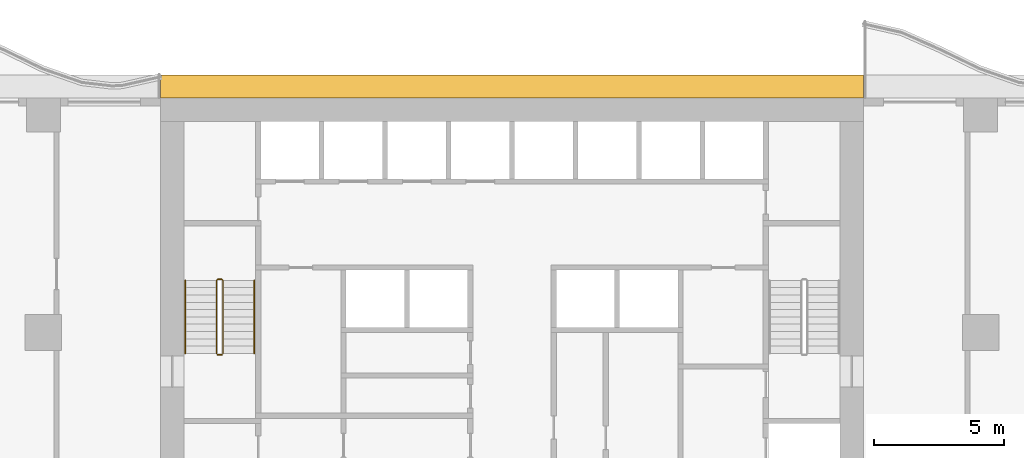
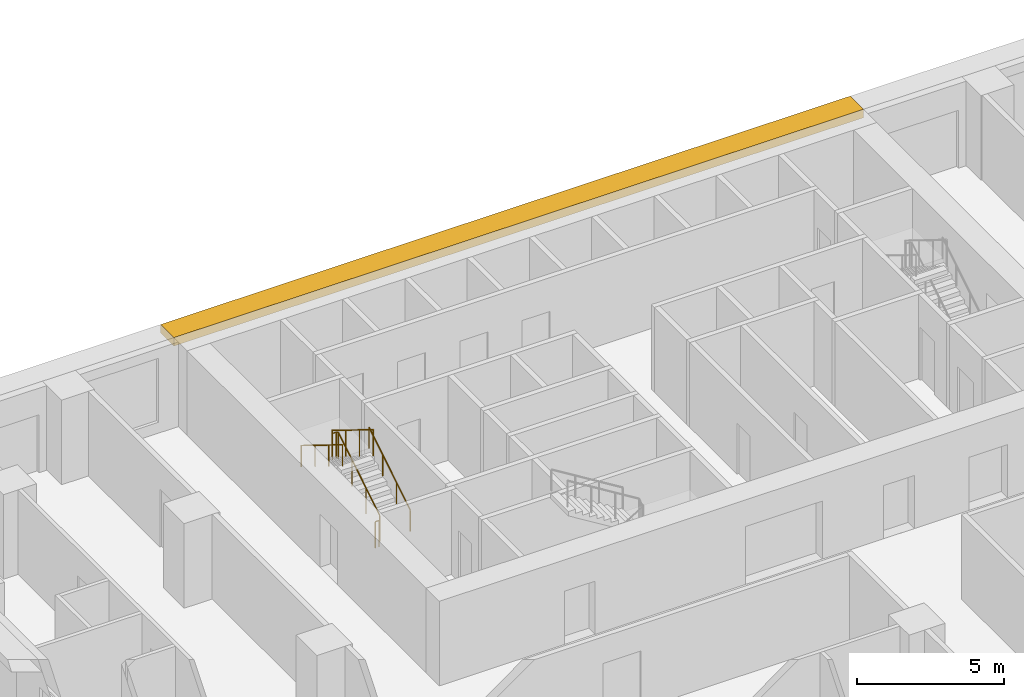
# One storey, part 11 of 13: 4 railings, 1 shading device.
"""IFC4 building model written with IfcOpenShell, lengths in metres."""

import ifcopenshell
import ifcopenshell.guid

model = None  # the IFC model being written
_history = None  # IfcOwnerHistory: only IFC2X3 demands one
_inside = {}  # id of a spatial element -> (the spatial element, [elements in it])
_under = {}  # id of a project, library or spatial element -> (it, [spatial elements below it])
_declared = {}  # id of a project -> (the project, [libraries it declares])
_typed = {}  # id of a type object -> (the type object, [elements of that type])
_made_of = {}  # id of a material, layer set ... -> (it, [elements and type objects made of it])


def new_model(schema):
    """Start an empty IFC model of exactly this schema.

    Asked for "IFC4X3", IfcOpenShell would pick the latest addendum, in which some entities
    have other attributes; the version numbers below select the first issue.
    IFC2X3 requires an IfcOwnerHistory on every rooted entity: one is made here for all.
    """
    global model, _history
    if schema == "IFC4X3":
        model = ifcopenshell.file(schema_version=(4, 3, 0, 0))
    else:
        model = ifcopenshell.file(schema=schema)
    _inside.clear()
    _under.clear()
    _declared.clear()
    _typed.clear()
    _made_of.clear()
    _history = None
    if model.schema == "IFC2X3":
        org = make("IfcOrganization", Name="unknown")
        user = make(
            "IfcPersonAndOrganization",
            ThePerson=make("IfcPerson", FamilyName="unknown"),
            TheOrganization=org,
        )
        app = make(
            "IfcApplication",
            ApplicationDeveloper=org,
            Version="unknown",
            ApplicationFullName="unknown",
            ApplicationIdentifier="unknown",
        )
        _history = make(
            "IfcOwnerHistory",
            OwningUser=user,
            OwningApplication=app,
            ChangeAction="ADDED",
            CreationDate=0,
        )
    return model


def make(cls, **values):
    """One entity of the class cls with the attributes given. An attribute that is None is left unset."""
    return model.create_entity(
        cls, **{name: value for name, value in values.items() if value is not None}
    )


def rooted(cls, **values):
    """An entity with a GlobalId (a new one), such as an element, a storey or a relation."""
    return make(cls, GlobalId=ifcopenshell.guid.new(), OwnerHistory=_history, **values)


def si_unit(unit_type, name, prefix=None):
    """IfcSIUnit, for example si_unit("LENGTHUNIT", "METRE", prefix="MILLI")."""
    return make("IfcSIUnit", UnitType=unit_type, Prefix=prefix, Name=name)


def assignment(units):
    """IfcUnitAssignment: the units of a project."""
    return None if units is None else make("IfcUnitAssignment", Units=units)


def point(xyz):
    """IfcCartesianPoint."""
    return None if xyz is None else make("IfcCartesianPoint", Coordinates=xyz)


def direction(xyz):
    """IfcDirection."""
    return None if xyz is None else make("IfcDirection", DirectionRatios=xyz)


def frame(location, z_axis=None, x_axis=None):
    """IfcAxis2Placement3D, a coordinate frame: its origin and axes. An axis left out is left unset."""
    return make(
        "IfcAxis2Placement3D",
        Location=point(location),
        Axis=direction(z_axis),
        RefDirection=direction(x_axis),
    )


def frame_2d(location, x_axis=None):
    """IfcAxis2Placement2D, a coordinate frame in the plane: its origin and x axis."""
    return make(
        "IfcAxis2Placement2D", Location=point(location), RefDirection=direction(x_axis)
    )


def origin():
    """The frame at (0, 0, 0) with its axes left unset."""
    return frame((0.0, 0.0, 0.0))


def origin_2d():
    """The frame at (0, 0) in the plane with its x axis left unset."""
    return frame_2d((0.0, 0.0))


def place(relative_to, where):
    """IfcLocalPlacement: puts the frame where relative to a parent placement (None: the world)."""
    return make(
        "IfcLocalPlacement", PlacementRelTo=relative_to, RelativePlacement=where
    )


def context(
    kind, dimensions, precision=None, world=None, true_north=None, identifier=None
):
    """IfcGeometricRepresentationContext, for example the 3D "Model" context."""
    return make(
        "IfcGeometricRepresentationContext",
        ContextIdentifier=identifier,
        ContextType=kind,
        CoordinateSpaceDimension=dimensions,
        Precision=precision,
        WorldCoordinateSystem=world,
        TrueNorth=true_north,
    )


def subcontext(parent, identifier, kind, view, scale=None):
    """IfcGeometricRepresentationSubContext, for example "Body" below "Model"."""
    return make(
        "IfcGeometricRepresentationSubContext",
        ContextIdentifier=identifier,
        ContextType=kind,
        ParentContext=parent,
        TargetScale=scale,
        TargetView=view,
    )


def project(units=None, contexts=None):
    """IfcProject with its units and contexts."""
    return rooted(
        "IfcProject",
        Name="project",
        RepresentationContexts=contexts,
        UnitsInContext=assignment(units),
    )


def spatial(cls, under=None, at=None, **own):
    """A site, building, storey or space (cls), placed at a placement, below another one or the project."""
    s = rooted(cls, ObjectPlacement=at, **own)
    if under is not None:
        _under.setdefault(under.id(), (under, []))[1].append(s)
    return s


def polyline(points):
    """IfcPolyline through the points."""
    return make("IfcPolyline", Points=[point(p) for p in points])


def profile(cls, at=None, kind="AREA", **sizes):
    """A parametric profile (cls). Its sizes go by their IFC names, for example OverallWidth=200.0."""
    return make(cls, ProfileType=kind, Position=at, **sizes)


def circle(**sizes):
    """IfcCircleProfileDef."""
    return profile("IfcCircleProfileDef", **sizes)


def outline(outer, holes=None, kind="AREA"):
    """IfcArbitraryClosedProfileDef: a profile drawn as a closed curve; with holes, ...WithVoids."""
    if holes is None:
        return make("IfcArbitraryClosedProfileDef", ProfileType=kind, OuterCurve=outer)
    return make(
        "IfcArbitraryProfileDefWithVoids",
        ProfileType=kind,
        OuterCurve=outer,
        InnerCurves=holes,
    )


def extrude(swept, where, along, depth):
    """IfcExtrudedAreaSolid: the profile swept, set in the frame where, extruded along a direction by depth."""
    return make(
        "IfcExtrudedAreaSolid",
        SweptArea=swept,
        Position=where,
        ExtrudedDirection=direction(along),
        Depth=depth,
    )


def shape(context_of_items, identifier, shape_type, items):
    """IfcShapeRepresentation: the items that make up one representation, for example the "Body"."""
    return make(
        "IfcShapeRepresentation",
        ContextOfItems=context_of_items,
        RepresentationIdentifier=identifier,
        RepresentationType=shape_type,
        Items=items,
    )


def material(Name=None, Category=None):
    """IfcMaterial."""
    return make("IfcMaterial", Name=Name, Category=Category)


def layer(
    of_material, thickness, ventilated=None, Name=None, Category=None, Priority=None
):
    """IfcMaterialLayer: one layer of a wall or slab, of a material (None: an air gap)."""
    return make(
        "IfcMaterialLayer",
        Material=of_material,
        LayerThickness=thickness,
        IsVentilated=ventilated,
        Name=Name,
        Category=Category,
        Priority=Priority,
    )


def layer_set(layers, Name=None):
    """IfcMaterialLayerSet."""
    return make("IfcMaterialLayerSet", MaterialLayers=layers, LayerSetName=Name)


def made_of(thing, what):
    """Note that an element or type object is made of a material, layer set ...; save() writes the relation."""
    if what is not None:
        _made_of.setdefault(what.id(), (what, []))[1].append(thing)
    return thing


def type_object(cls, material=None, **own):
    """A type object (cls), such as IfcWallType, which elements share."""
    return made_of(rooted(cls, **own), material)


def element(
    cls,
    number,
    at=None,
    inside=None,
    cuts=None,
    type_object=None,
    material=None,
    context=None,
    identifier="Body",
    shape_type=None,
    held_by="IfcProductDefinitionShape",
    body=None,
    shapes=None,
    **own,
):
    """One element of the class cls, such as IfcWall. Its Tag is "e" and its number.

    at: its placement. inside: the storey or other place that contains it. cuts: it is an
    opening in that element (IfcRelVoidsElement). A single representation is given by context,
    identifier, shape_type and body (its items); several are given by shapes. held_by: the class
    of the entity that holds the representations. save() writes the other relations.
    """
    e = rooted(cls, Tag="e%d" % number, ObjectPlacement=at, **own)
    if body is not None:
        shapes = [shape(context, identifier, shape_type, body)]
    if shapes is not None:
        e.Representation = make(held_by, Representations=shapes)
    if inside is not None:
        _inside.setdefault(inside.id(), (inside, []))[1].append(e)
    if cuts is not None:
        rooted(
            "IfcRelVoidsElement", RelatingBuildingElement=cuts, RelatedOpeningElement=e
        )
    if type_object is not None:
        _typed.setdefault(type_object.id(), (type_object, []))[1].append(e)
    return made_of(e, material)


def aggregate(whole, parts):
    """IfcRelAggregates: a whole, such as a stair, and the parts it consists of."""
    return rooted("IfcRelAggregates", RelatingObject=whole, RelatedObjects=parts)


def save(model, path):
    """Write the relations noted so far, then the file.

    IfcRelAggregates (storeys below a building ...), IfcRelContainedInSpatialStructure (elements
    in a storey), IfcRelDefinesByType, IfcRelAssociatesMaterial and IfcRelDeclares: one each for
    every whole, place, type object, material and project.
    """
    for whole, parts in _under.values():
        aggregate(whole, parts)
    for where, things in _inside.values():
        rooted(
            "IfcRelContainedInSpatialStructure",
            RelatedElements=things,
            RelatingStructure=where,
        )
    for kind, things in _typed.values():
        rooted("IfcRelDefinesByType", RelatedObjects=things, RelatingType=kind)
    for what, things in _made_of.values():
        rooted("IfcRelAssociatesMaterial", RelatedObjects=things, RelatingMaterial=what)
    for by, libraries in _declared.values():
        rooted("IfcRelDeclares", RelatingContext=by, RelatedDefinitions=libraries)
    model.write(path)


model = new_model("IFC4")

# Units and contexts
model_context = context("Model", 3, precision=1e-05, world=origin(), true_north=direction((0.0, 1.0)))
body_context = subcontext(model_context, "Body", "Model", "MODEL_VIEW")
ifc_project = project(units=[si_unit("LENGTHUNIT", "METRE"), si_unit("AREAUNIT", "SQUARE_METRE"), si_unit("VOLUMEUNIT", "CUBIC_METRE"), si_unit("PLANEANGLEUNIT", "RADIAN"), si_unit("MASSUNIT", "GRAM", prefix="KILO")], contexts=[model_context])

# Site, building, storey
site_placement = place(None, origin())
site = spatial("IfcSite", under=ifc_project, at=site_placement, CompositionType="ELEMENT")
building_placement = place(site_placement, origin())
building = spatial("IfcBuilding", under=site, at=building_placement, Name="Orbiselva Terraces", CompositionType="ELEMENT")
storey_placement = place(building_placement, frame((0.0, 0.0, 96.0)))
storey = spatial("IfcBuildingStorey", under=building, at=storey_placement, Name="L24", CompositionType="ELEMENT", Elevation=96.0)

# Railings
ifc_material_1 = material(Name="Stainless steel", Category="steel")
railing_type_1 = type_object("IfcRailingType", Name="CORE-GUARD-1100", PredefinedType="GUARDRAIL", material=ifc_material_1)
railing_1_placement = place(storey_placement, frame((-11.1, 12.7, 0.172727)))
element("IfcRailing", 1, at=railing_1_placement, inside=storey, type_object=railing_type_1, Name="L24 S1 stair guard 1", PredefinedType="GUARDRAIL", context=body_context, shape_type="SweptSolid", body=[
    extrude(circle(Radius=0.024, at=origin_2d()), frame((0.0, 0.0, 1.081), z_axis=(0.0, 0.851088519012, 0.52502222125), x_axis=(-1.0, 0.0, 0.0)), (0.0, 0.0, 1.0), 3.289905),
    extrude(circle(Radius=0.024, at=origin_2d()), frame((0.0, 2.8, 2.808273), z_axis=(-0.707106781187, 0.707106781187, 0.0), x_axis=(-0.707106781187, -0.707106781187, 0.0)), (0.0, 0.0, 1.0), 0.070711),
    extrude(circle(Radius=0.024, at=origin_2d()), frame((-0.05, 2.85, 2.808273), z_axis=(-1.0, 0.0, 0.0), x_axis=(0.0, -1.0, 0.0)), (0.0, 0.0, 1.0), 0.15),
    extrude(circle(Radius=0.024, at=origin_2d()), frame((-0.2, 2.85, 2.808273), z_axis=(-0.267894925557, -0.267894925557, 0.925453736133), x_axis=(0.707106781187, -0.707106781187, 0.0)), (0.0, 0.0, 1.0), 0.18664),
    extrude(circle(Radius=0.024, at=origin_2d()), frame((-0.25, 2.8, 2.981), z_axis=(0.0, -0.851088519012, 0.52502222125), x_axis=(1.0, 0.0, 0.0)), (0.0, 0.0, 1.0), 3.289905),
    extrude(circle(Radius=0.021, at=origin_2d()), origin(), (0.0, 0.0, 1.0), 1.057),
    extrude(circle(Radius=0.021, at=origin_2d()), frame((0.0, 0.933333, 0.575758)), (0.0, 0.0, 1.0), 1.057),
    extrude(circle(Radius=0.021, at=origin_2d()), frame((0.0, 1.866667, 1.151515)), (0.0, 0.0, 1.0), 1.057),
    extrude(circle(Radius=0.021, at=origin_2d()), frame((0.0, 2.8, 1.727273)), (0.0, 0.0, 1.0), 1.057),
    extrude(circle(Radius=0.021, at=origin_2d()), frame((-0.05, 2.85, 1.727273)), (0.0, 0.0, 1.0), 1.057),
    extrude(circle(Radius=0.021, at=origin_2d()), frame((-0.2, 2.85, 1.727273)), (0.0, 0.0, 1.0), 1.057),
    extrude(circle(Radius=0.021, at=origin_2d()), frame((-0.25, 2.8, 1.9)), (0.0, 0.0, 1.0), 1.057),
    extrude(circle(Radius=0.021, at=origin_2d()), frame((-0.25, 1.866667, 2.475758)), (0.0, 0.0, 1.0), 1.057),
    extrude(circle(Radius=0.021, at=origin_2d()), frame((-0.25, 0.933333, 3.051515)), (0.0, 0.0, 1.0), 1.057),
    extrude(circle(Radius=0.021, at=origin_2d()), frame((-0.25, 0.0, 3.627273)), (0.0, 0.0, 1.0), 1.057),
])
railing_2_placement = place(storey_placement, frame((-11.15, 12.65, 0.0)))
element("IfcRailing", 2, at=railing_2_placement, inside=storey, type_object=railing_type_1, Name="L24 S1 stair guard 2", PredefinedType="GUARDRAIL", context=body_context, shape_type="SweptSolid", body=[
    extrude(circle(Radius=0.024, at=origin_2d()), frame((0.0, 0.0, 1.081), z_axis=(-1.0, 0.0, 0.0), x_axis=(0.0, -1.0, 0.0)), (0.0, 0.0, 1.0), 0.15),
    extrude(circle(Radius=0.021, at=origin_2d()), origin(), (0.0, 0.0, 1.0), 1.057),
    extrude(circle(Radius=0.021, at=origin_2d()), frame((-0.15, 0.0, 0.0)), (0.0, 0.0, 1.0), 1.057),
])
railing_type_2 = type_object("IfcRailingType", Name="CORE-HANDRAIL-900", PredefinedType="HANDRAIL", material=ifc_material_1)
railing_3_placement = place(storey_placement, frame((-9.9, 12.7, 0.172727)))
element("IfcRailing", 3, at=railing_3_placement, inside=storey, type_object=railing_type_2, Name="L24 S1 stair handrail 1", PredefinedType="HANDRAIL", context=body_context, shape_type="SweptSolid", body=[
    extrude(circle(Radius=0.024, at=origin_2d()), frame((0.0, 0.0, 0.876), z_axis=(0.0, 0.851088519012, 0.52502222125), x_axis=(-1.0, 0.0, 0.0)), (0.0, 0.0, 1.0), 3.289905),
    extrude(circle(Radius=0.021, at=origin_2d()), origin(), (0.0, 0.0, 1.0), 0.852),
    extrude(circle(Radius=0.021, at=origin_2d()), frame((0.0, 0.933333, 0.575758)), (0.0, 0.0, 1.0), 0.852),
    extrude(circle(Radius=0.021, at=origin_2d()), frame((0.0, 1.866667, 1.151515)), (0.0, 0.0, 1.0), 0.852),
    extrude(circle(Radius=0.021, at=origin_2d()), frame((0.0, 2.8, 1.727273)), (0.0, 0.0, 1.0), 0.852),
])
railing_4_placement = place(storey_placement, frame((-12.55, 15.5, 2.072727)))
element("IfcRailing", 4, at=railing_4_placement, inside=storey, type_object=railing_type_2, Name="L24 S1 stair handrail 2", PredefinedType="HANDRAIL", context=body_context, shape_type="SweptSolid", body=[
    extrude(circle(Radius=0.024, at=origin_2d()), frame((0.0, 0.0, 0.876), z_axis=(0.0, -0.851088519012, 0.52502222125), x_axis=(1.0, 0.0, 0.0)), (0.0, 0.0, 1.0), 3.289905),
    extrude(circle(Radius=0.021, at=origin_2d()), origin(), (0.0, 0.0, 1.0), 0.852),
    extrude(circle(Radius=0.021, at=origin_2d()), frame((0.0, -0.933333, 0.575758)), (0.0, 0.0, 1.0), 0.852),
    extrude(circle(Radius=0.021, at=origin_2d()), frame((0.0, -1.866667, 1.151515)), (0.0, 0.0, 1.0), 0.852),
    extrude(circle(Radius=0.021, at=origin_2d()), frame((0.0, -2.8, 1.727273)), (0.0, 0.0, 1.0), 0.852),
])

# Shading device
ifc_material_2 = material(Name="Terracotta baguette sunshade", Category="masonry")
ifc_layer = layer(ifc_material_2, 0.35)
ifc_layer_set = layer_set([ifc_layer], Name="Terracotta baguette sunshade")
shading_device_type = type_object("IfcShadingDeviceType", Name="ENV-SUNSHADE-900x350", PredefinedType="USERDEFINED", material=ifc_layer_set)
shading_device_placement = place(storey_placement, frame((0.0, 0.0, 3.15)))
element("IfcShadingDevice", 5, at=shading_device_placement, inside=storey, type_object=shading_device_type, Name="Sunshade band L24 CORE NORTH", ObjectType="SUNSHADE", PredefinedType="USERDEFINED", context=body_context, shape_type="SweptSolid", body=[
    extrude(outline(polyline([(13.5, 23.4), (-13.5, 23.4), (-13.5, 22.5), (13.5, 22.5), (13.5, 23.4)])), origin(), (0.0, 0.0, 1.0), 0.35),
])

save(model, "model.ifc")
